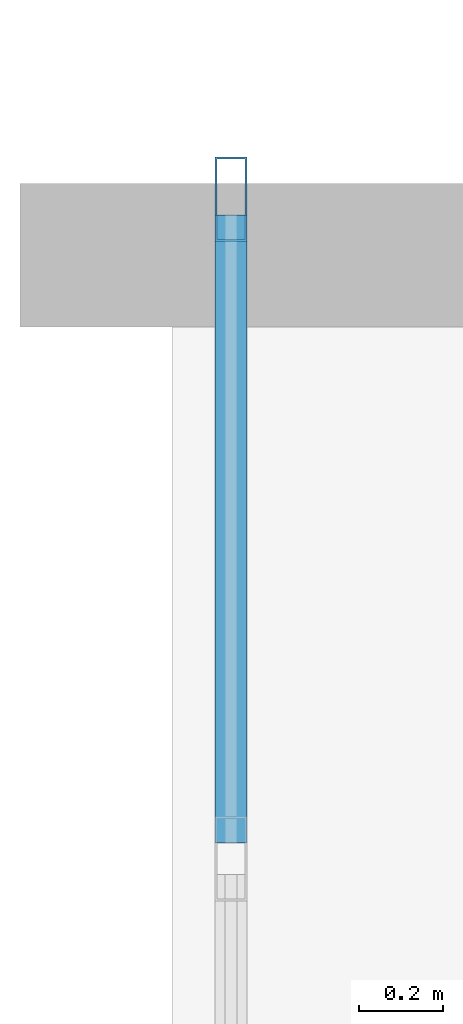
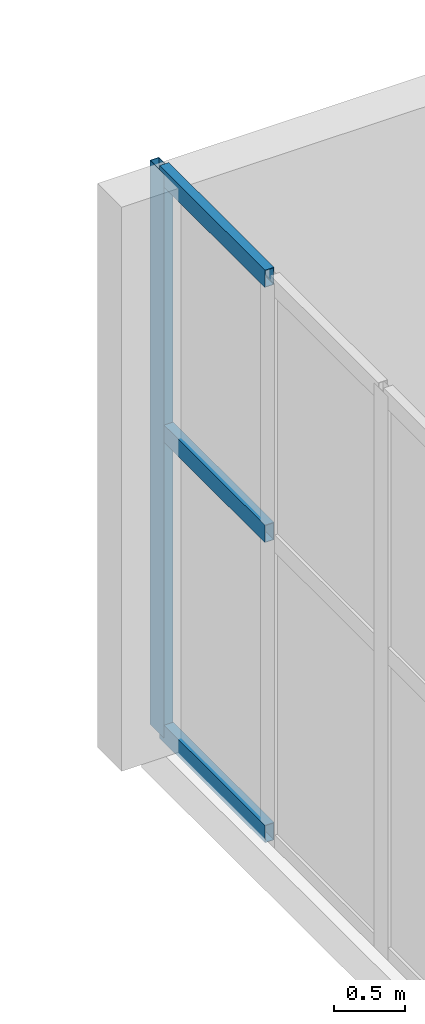
# One storey, part 74 of 128: 4 members, 1 element without a shape of its own.
"""IFC4 building model written with IfcOpenShell, lengths in metres."""

from ifc_helpers import new_model, si_unit, direction, frame, origin, origin_2d, place, context, subcontext, project, spatial, hollow_rectangle, extrude, material, layer, layer_set, material_profile, profile_set, type_object, element, aggregate, save


model = new_model("IFC4")

# Units and contexts
model_context = context("Model", 3, precision=1e-05, world=origin(), true_north=direction((0.0, 1.0)))
body_context = subcontext(model_context, "Body", "Model", "MODEL_VIEW")
ifc_project = project(units=[si_unit("LENGTHUNIT", "METRE"), si_unit("AREAUNIT", "SQUARE_METRE"), si_unit("VOLUMEUNIT", "CUBIC_METRE"), si_unit("PLANEANGLEUNIT", "RADIAN"), si_unit("MASSUNIT", "GRAM", prefix="KILO")], contexts=[model_context])

# Site, building, storey
site_placement = place(None, origin())
site = spatial("IfcSite", under=ifc_project, at=site_placement, CompositionType="ELEMENT")
building_placement = place(site_placement, origin())
building = spatial("IfcBuilding", under=site, at=building_placement, Name="Xicomal Pleat Aquarium", CompositionType="ELEMENT")
storey_placement = place(building_placement, frame((0.0, 0.0, 5.39990234375)))
storey = spatial("IfcBuildingStorey", under=building, at=storey_placement, Name="L02", CompositionType="ELEMENT", Elevation=5.39990234375)

# Curtain wall, members
ifc_material_1 = material(Name="Bronze anodized aluminium 6063-T6", Category="aluminium")
ifc_layer = layer(ifc_material_1, 0.159912109375)
ifc_layer_set = layer_set([ifc_layer], Name="Bronze anodized aluminium 6063-T6")
curtain_wall_type = type_object("IfcCurtainWallType", Name="CW-SYS-07", PredefinedType="NOTDEFINED", material=ifc_layer_set)
curtain_wall_placement = place(storey_placement, origin())
curtain_wall = element("IfcCurtainWall", 1, at=curtain_wall_placement, inside=storey, type_object=curtain_wall_type, Name="L02 unitised curtain wall CW-L02-088", PredefinedType="NOTDEFINED")
ifc_material_2 = material(Name="Bronze anodized aluminium 6063-T6", Category="aluminium")
ifc_material_profile_1 = material_profile(ifc_material_2, hollow_rectangle(XDim=0.074951171875, YDim=0.199951171875, WallThickness=0.00439453125, at=origin_2d()), Name="ALU MULL 75x200")
ifc_profile_set_1 = profile_set([ifc_material_profile_1], Name="Bronze anodized aluminium 6063-T6")
member_type_1 = type_object("IfcMemberType", Name="CWM-75x200", PredefinedType="MULLION", material=ifc_profile_set_1)
member_1_placement = place(storey_placement, frame((126.139892578125, 104.762451171875, 0.0), z_axis=(0.0, 0.0, 1.0), x_axis=(-1.0, 0.0, 0.0)))
member_1 = element("IfcMember", 2, at=member_1_placement, type_object=member_type_1, Name="CW-07 mullion 5", PredefinedType="MULLION", context=body_context, shape_type="SweptSolid", body=[
    extrude(hollow_rectangle(XDim=0.074951171875, YDim=0.199951171875, WallThickness=0.00439453125, at=origin_2d()), origin(), (0.0, 0.0, 1.0), 4.860107421875),
])
ifc_material_3 = material(Name="Bronze anodized aluminium 6063-T6", Category="aluminium")
ifc_material_profile_2 = material_profile(ifc_material_3, hollow_rectangle(XDim=0.074951171875, YDim=0.14990234375, WallThickness=0.00439453125, at=origin_2d()), Name="ALU TRAN 75x150")
ifc_profile_set_2 = profile_set([ifc_material_profile_2], Name="Bronze anodized aluminium 6063-T6")
member_type_2 = type_object("IfcMemberType", Name="CWT-75x150", PredefinedType="USERDEFINED", material=ifc_profile_set_2)
member_2_placement = place(storey_placement, frame((126.139892578125, 103.237548828125, 0.03759765625), z_axis=(0.0, 1.0, 0.0), x_axis=(-1.0, 0.0, 0.0)))
member_2 = element("IfcMember", 3, at=member_2_placement, type_object=member_type_2, Name="CW-07 transom 4.1", ObjectType="TRANSOM", PredefinedType="USERDEFINED", context=body_context, shape_type="SweptSolid", body=[
    extrude(hollow_rectangle(XDim=0.074951171875, YDim=0.14990234375, WallThickness=0.00439453125, at=origin_2d()), origin(), (0.0, 0.0, 1.0), 1.487548828125),
])
member_3_placement = place(storey_placement, frame((126.139892578125, 103.237548828125, 2.6240234375), z_axis=(0.0, 1.0, 0.0), x_axis=(-1.0, 0.0, 0.0)))
member_3 = element("IfcMember", 4, at=member_3_placement, type_object=member_type_2, Name="CW-07 transom 4.2", ObjectType="TRANSOM", PredefinedType="USERDEFINED", context=body_context, shape_type="SweptSolid", body=[
    extrude(hollow_rectangle(XDim=0.074951171875, YDim=0.14990234375, WallThickness=0.00439453125, at=origin_2d()), origin(), (0.0, 0.0, 1.0), 1.487548828125),
])
member_4_placement = place(storey_placement, frame((126.139892578125, 103.237548828125, 4.822509765625), z_axis=(0.0, 1.0, 0.0), x_axis=(-1.0, 0.0, 0.0)))
member_4 = element("IfcMember", 5, at=member_4_placement, type_object=member_type_2, Name="CW-07 transom 4.3", ObjectType="TRANSOM", PredefinedType="USERDEFINED", context=body_context, shape_type="SweptSolid", body=[
    extrude(hollow_rectangle(XDim=0.074951171875, YDim=0.14990234375, WallThickness=0.00439453125, at=origin_2d()), origin(), (0.0, 0.0, 1.0), 1.487548828125),
])
aggregate(curtain_wall, [member_1, member_2, member_3, member_4])

save(model, "model.ifc")
